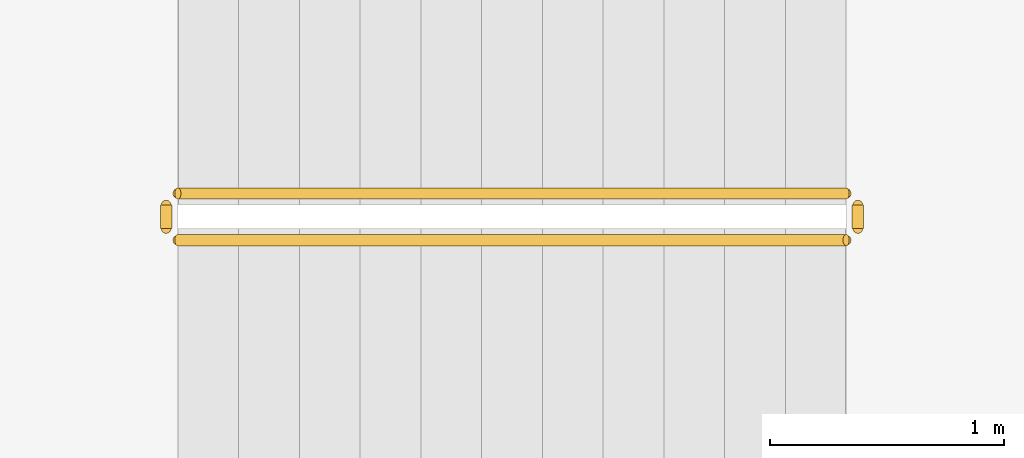
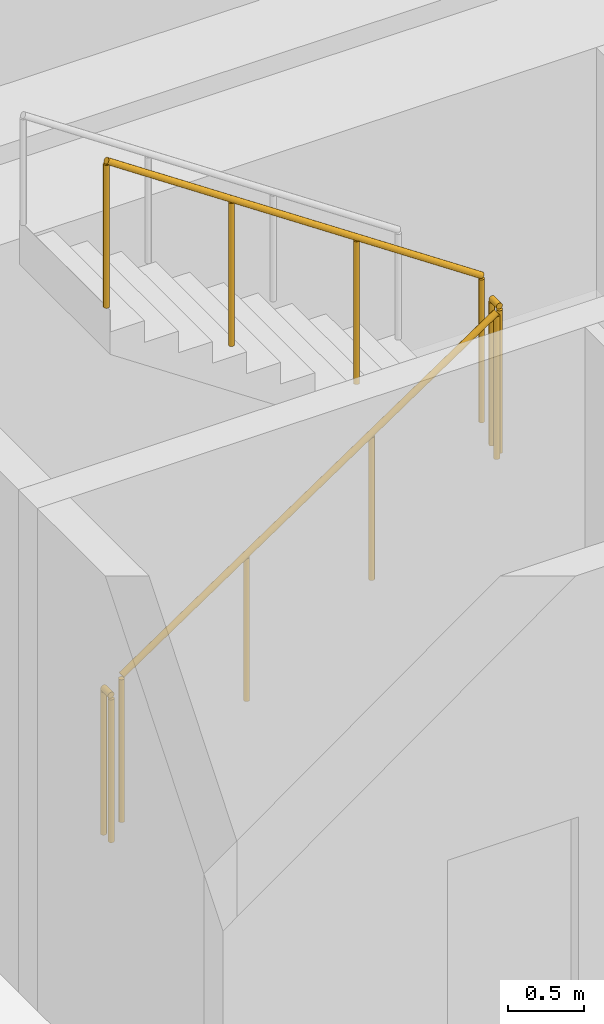
# One storey, part 21 of 25: 4 railings.
"""IFC4 building model written with IfcOpenShell, lengths in metres."""

import ifcopenshell
import ifcopenshell.guid

model = None  # the IFC model being written
_history = None  # IfcOwnerHistory: only IFC2X3 demands one
_inside = {}  # id of a spatial element -> (the spatial element, [elements in it])
_under = {}  # id of a project, library or spatial element -> (it, [spatial elements below it])
_declared = {}  # id of a project -> (the project, [libraries it declares])
_typed = {}  # id of a type object -> (the type object, [elements of that type])
_made_of = {}  # id of a material, layer set ... -> (it, [elements and type objects made of it])


def new_model(schema):
    """Start an empty IFC model of exactly this schema.

    Asked for "IFC4X3", IfcOpenShell would pick the latest addendum, in which some entities
    have other attributes; the version numbers below select the first issue.
    IFC2X3 requires an IfcOwnerHistory on every rooted entity: one is made here for all.
    """
    global model, _history
    if schema == "IFC4X3":
        model = ifcopenshell.file(schema_version=(4, 3, 0, 0))
    else:
        model = ifcopenshell.file(schema=schema)
    _inside.clear()
    _under.clear()
    _declared.clear()
    _typed.clear()
    _made_of.clear()
    _history = None
    if model.schema == "IFC2X3":
        org = make("IfcOrganization", Name="unknown")
        user = make(
            "IfcPersonAndOrganization",
            ThePerson=make("IfcPerson", FamilyName="unknown"),
            TheOrganization=org,
        )
        app = make(
            "IfcApplication",
            ApplicationDeveloper=org,
            Version="unknown",
            ApplicationFullName="unknown",
            ApplicationIdentifier="unknown",
        )
        _history = make(
            "IfcOwnerHistory",
            OwningUser=user,
            OwningApplication=app,
            ChangeAction="ADDED",
            CreationDate=0,
        )
    return model


def make(cls, **values):
    """One entity of the class cls with the attributes given. An attribute that is None is left unset."""
    return model.create_entity(
        cls, **{name: value for name, value in values.items() if value is not None}
    )


def rooted(cls, **values):
    """An entity with a GlobalId (a new one), such as an element, a storey or a relation."""
    return make(cls, GlobalId=ifcopenshell.guid.new(), OwnerHistory=_history, **values)


def si_unit(unit_type, name, prefix=None):
    """IfcSIUnit, for example si_unit("LENGTHUNIT", "METRE", prefix="MILLI")."""
    return make("IfcSIUnit", UnitType=unit_type, Prefix=prefix, Name=name)


def assignment(units):
    """IfcUnitAssignment: the units of a project."""
    return None if units is None else make("IfcUnitAssignment", Units=units)


def point(xyz):
    """IfcCartesianPoint."""
    return None if xyz is None else make("IfcCartesianPoint", Coordinates=xyz)


def direction(xyz):
    """IfcDirection."""
    return None if xyz is None else make("IfcDirection", DirectionRatios=xyz)


def frame(location, z_axis=None, x_axis=None):
    """IfcAxis2Placement3D, a coordinate frame: its origin and axes. An axis left out is left unset."""
    return make(
        "IfcAxis2Placement3D",
        Location=point(location),
        Axis=direction(z_axis),
        RefDirection=direction(x_axis),
    )


def frame_2d(location, x_axis=None):
    """IfcAxis2Placement2D, a coordinate frame in the plane: its origin and x axis."""
    return make(
        "IfcAxis2Placement2D", Location=point(location), RefDirection=direction(x_axis)
    )


def origin():
    """The frame at (0, 0, 0) with its axes left unset."""
    return frame((0.0, 0.0, 0.0))


def origin_2d():
    """The frame at (0, 0) in the plane with its x axis left unset."""
    return frame_2d((0.0, 0.0))


def place(relative_to, where):
    """IfcLocalPlacement: puts the frame where relative to a parent placement (None: the world)."""
    return make(
        "IfcLocalPlacement", PlacementRelTo=relative_to, RelativePlacement=where
    )


def context(
    kind, dimensions, precision=None, world=None, true_north=None, identifier=None
):
    """IfcGeometricRepresentationContext, for example the 3D "Model" context."""
    return make(
        "IfcGeometricRepresentationContext",
        ContextIdentifier=identifier,
        ContextType=kind,
        CoordinateSpaceDimension=dimensions,
        Precision=precision,
        WorldCoordinateSystem=world,
        TrueNorth=true_north,
    )


def subcontext(parent, identifier, kind, view, scale=None):
    """IfcGeometricRepresentationSubContext, for example "Body" below "Model"."""
    return make(
        "IfcGeometricRepresentationSubContext",
        ContextIdentifier=identifier,
        ContextType=kind,
        ParentContext=parent,
        TargetScale=scale,
        TargetView=view,
    )


def project(units=None, contexts=None):
    """IfcProject with its units and contexts."""
    return rooted(
        "IfcProject",
        Name="project",
        RepresentationContexts=contexts,
        UnitsInContext=assignment(units),
    )


def spatial(cls, under=None, at=None, **own):
    """A site, building, storey or space (cls), placed at a placement, below another one or the project."""
    s = rooted(cls, ObjectPlacement=at, **own)
    if under is not None:
        _under.setdefault(under.id(), (under, []))[1].append(s)
    return s


def profile(cls, at=None, kind="AREA", **sizes):
    """A parametric profile (cls). Its sizes go by their IFC names, for example OverallWidth=200.0."""
    return make(cls, ProfileType=kind, Position=at, **sizes)


def circle(**sizes):
    """IfcCircleProfileDef."""
    return profile("IfcCircleProfileDef", **sizes)


def extrude(swept, where, along, depth):
    """IfcExtrudedAreaSolid: the profile swept, set in the frame where, extruded along a direction by depth."""
    return make(
        "IfcExtrudedAreaSolid",
        SweptArea=swept,
        Position=where,
        ExtrudedDirection=direction(along),
        Depth=depth,
    )


def shape(context_of_items, identifier, shape_type, items):
    """IfcShapeRepresentation: the items that make up one representation, for example the "Body"."""
    return make(
        "IfcShapeRepresentation",
        ContextOfItems=context_of_items,
        RepresentationIdentifier=identifier,
        RepresentationType=shape_type,
        Items=items,
    )


def material(Name=None, Category=None):
    """IfcMaterial."""
    return make("IfcMaterial", Name=Name, Category=Category)


def made_of(thing, what):
    """Note that an element or type object is made of a material, layer set ...; save() writes the relation."""
    if what is not None:
        _made_of.setdefault(what.id(), (what, []))[1].append(thing)
    return thing


def type_object(cls, material=None, **own):
    """A type object (cls), such as IfcWallType, which elements share."""
    return made_of(rooted(cls, **own), material)


def element(
    cls,
    number,
    at=None,
    inside=None,
    cuts=None,
    type_object=None,
    material=None,
    context=None,
    identifier="Body",
    shape_type=None,
    held_by="IfcProductDefinitionShape",
    body=None,
    shapes=None,
    **own,
):
    """One element of the class cls, such as IfcWall. Its Tag is "e" and its number.

    at: its placement. inside: the storey or other place that contains it. cuts: it is an
    opening in that element (IfcRelVoidsElement). A single representation is given by context,
    identifier, shape_type and body (its items); several are given by shapes. held_by: the class
    of the entity that holds the representations. save() writes the other relations.
    """
    e = rooted(cls, Tag="e%d" % number, ObjectPlacement=at, **own)
    if body is not None:
        shapes = [shape(context, identifier, shape_type, body)]
    if shapes is not None:
        e.Representation = make(held_by, Representations=shapes)
    if inside is not None:
        _inside.setdefault(inside.id(), (inside, []))[1].append(e)
    if cuts is not None:
        rooted(
            "IfcRelVoidsElement", RelatingBuildingElement=cuts, RelatedOpeningElement=e
        )
    if type_object is not None:
        _typed.setdefault(type_object.id(), (type_object, []))[1].append(e)
    return made_of(e, material)


def aggregate(whole, parts):
    """IfcRelAggregates: a whole, such as a stair, and the parts it consists of."""
    return rooted("IfcRelAggregates", RelatingObject=whole, RelatedObjects=parts)


def save(model, path):
    """Write the relations noted so far, then the file.

    IfcRelAggregates (storeys below a building ...), IfcRelContainedInSpatialStructure (elements
    in a storey), IfcRelDefinesByType, IfcRelAssociatesMaterial and IfcRelDeclares: one each for
    every whole, place, type object, material and project.
    """
    for whole, parts in _under.values():
        aggregate(whole, parts)
    for where, things in _inside.values():
        rooted(
            "IfcRelContainedInSpatialStructure",
            RelatedElements=things,
            RelatingStructure=where,
        )
    for kind, things in _typed.values():
        rooted("IfcRelDefinesByType", RelatedObjects=things, RelatingType=kind)
    for what, things in _made_of.values():
        rooted("IfcRelAssociatesMaterial", RelatedObjects=things, RelatingMaterial=what)
    for by, libraries in _declared.values():
        rooted("IfcRelDeclares", RelatingContext=by, RelatedDefinitions=libraries)
    model.write(path)


model = new_model("IFC4")

# Units and contexts
model_context = context("Model", 3, precision=1e-05, world=origin(), true_north=direction((0.0, 1.0)))
body_context = subcontext(model_context, "Body", "Model", "MODEL_VIEW")
ifc_project = project(units=[si_unit("LENGTHUNIT", "METRE"), si_unit("AREAUNIT", "SQUARE_METRE"), si_unit("VOLUMEUNIT", "CUBIC_METRE"), si_unit("PLANEANGLEUNIT", "RADIAN"), si_unit("MASSUNIT", "GRAM", prefix="KILO")], contexts=[model_context])

# Site, building, storey
site_placement = place(None, origin())
site = spatial("IfcSite", under=ifc_project, at=site_placement, CompositionType="ELEMENT")
building_placement = place(site_placement, origin())
building = spatial("IfcBuilding", under=site, at=building_placement, Name="Sahrelin Media Tower", CompositionType="ELEMENT")
storey_placement = place(building_placement, frame((0.0, 0.0, 106.199951171875)))
storey = spatial("IfcBuildingStorey", under=building, at=storey_placement, Name="L20", CompositionType="ELEMENT", Elevation=106.199951171875)

# Railings
ifc_material = material(Name="Steel S355", Category="steel")
railing_type = type_object("IfcRailingType", Name="Stair guard 1200", PredefinedType="GUARDRAIL", material=ifc_material)
railing_1_placement = place(storey_placement, frame((-7.675048828125, 5.25, 0.175048828125)))
element("IfcRailing", 1, at=railing_1_placement, inside=storey, type_object=railing_type, Name="L20 ST1 stair guard 1", PredefinedType="GUARDRAIL", context=body_context, shape_type="SweptSolid", body=[
    extrude(circle(Radius=0.02392578125, at=origin_2d()), frame((0.0, 0.0, 1.17578125), z_axis=(0.829590901723, 0.0, 0.558371682465), x_axis=(0.0, 1.0, 0.0)), (0.0, 0.0, 1.0), 3.447509765625),
    extrude(circle(Radius=0.02099609375, at=origin_2d()), origin(), (0.0, 0.0, 1.0), 1.15185546875),
    extrude(circle(Radius=0.02099609375, at=origin_2d()), frame((0.953369140625, 0.0, 0.6416015625)), (0.0, 0.0, 1.0), 1.15185546875),
    extrude(circle(Radius=0.02099609375, at=origin_2d()), frame((1.90673828125, 0.0, 1.283447265625)), (0.0, 0.0, 1.0), 1.15185546875),
    extrude(circle(Radius=0.02099609375, at=origin_2d()), frame((2.860107421875, 0.0, 1.925048828125)), (0.0, 0.0, 1.0), 1.15185546875),
])
railing_2_placement = place(storey_placement, frame((-4.764892578125, 5.300048828125, 2.10009765625)))
element("IfcRailing", 2, at=railing_2_placement, inside=storey, type_object=railing_type, Name="L20 ST1 stair guard 2", PredefinedType="GUARDRAIL", context=body_context, shape_type="SweptSolid", body=[
    extrude(circle(Radius=0.02392578125, at=origin_2d()), frame((0.0, 0.0, 1.17578125), z_axis=(0.0, 1.0, 0.0), x_axis=(-1.0, 0.0, 0.0)), (0.0, 0.0, 1.0), 0.099853515625),
    extrude(circle(Radius=0.02099609375, at=origin_2d()), origin(), (0.0, 0.0, 1.0), 1.15185546875),
    extrude(circle(Radius=0.02099609375, at=origin_2d()), frame((0.0, 0.099853515625, 0.0)), (0.0, 0.0, 1.0), 1.15185546875),
])
railing_3_placement = place(storey_placement, frame((-4.81494140625, 5.449951171875, 2.275146484375)))
element("IfcRailing", 3, at=railing_3_placement, inside=storey, type_object=railing_type, Name="L20 ST1 stair guard 3", PredefinedType="GUARDRAIL", context=body_context, shape_type="SweptSolid", body=[
    extrude(circle(Radius=0.02392578125, at=origin_2d()), frame((0.0, 0.0, 1.17578125), z_axis=(-0.829623704247, 0.0, 0.558322943601), x_axis=(0.0, -1.0, 0.0)), (0.0, 0.0, 1.0), 3.447509765625),
    extrude(circle(Radius=0.02099609375, at=origin_2d()), origin(), (0.0, 0.0, 1.0), 1.15185546875),
    extrude(circle(Radius=0.02099609375, at=origin_2d()), frame((-0.953369140625, 0.0, 0.6416015625)), (0.0, 0.0, 1.0), 1.15185546875),
    extrude(circle(Radius=0.02099609375, at=origin_2d()), frame((-1.90673828125, 0.0, 1.283203125)), (0.0, 0.0, 1.0), 1.15185546875),
    extrude(circle(Radius=0.02099609375, at=origin_2d()), frame((-2.860107421875, 0.0, 1.9248046875)), (0.0, 0.0, 1.0), 1.15185546875),
])
railing_4_placement = place(storey_placement, frame((-7.72509765625, 5.300048828125, 0.0)))
element("IfcRailing", 4, at=railing_4_placement, inside=storey, type_object=railing_type, Name="L20 ST1 stair guard 4", PredefinedType="GUARDRAIL", context=body_context, shape_type="SweptSolid", body=[
    extrude(circle(Radius=0.02392578125, at=origin_2d()), frame((0.0, 0.0, 1.17578125), z_axis=(0.0, 1.0, 0.0), x_axis=(-1.0, 0.0, 0.0)), (0.0, 0.0, 1.0), 0.099853515625),
    extrude(circle(Radius=0.02099609375, at=origin_2d()), origin(), (0.0, 0.0, 1.0), 1.15185546875),
    extrude(circle(Radius=0.02099609375, at=origin_2d()), frame((0.0, 0.099853515625, 0.0)), (0.0, 0.0, 1.0), 1.15185546875),
])

save(model, "model.ifc")
